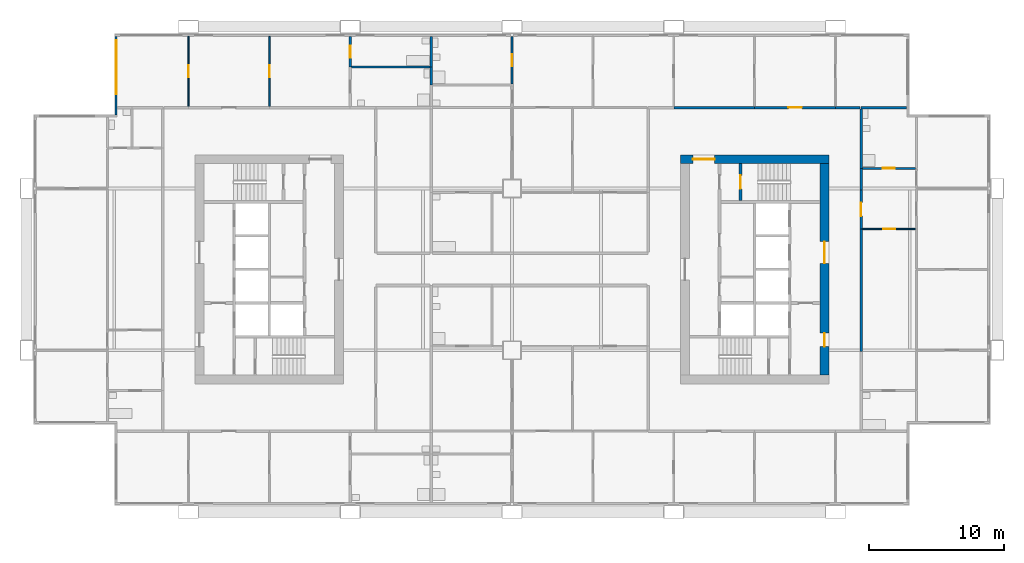
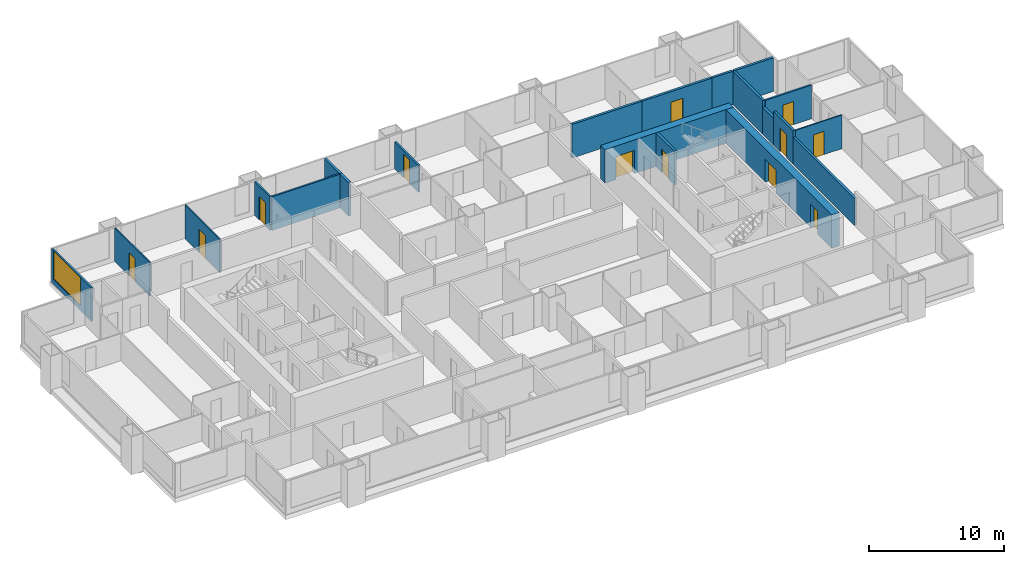
# One storey, part 7 of 11: 21 walls, 12 doors, 1 window, 13 openings.
"""IFC4 building model written with IfcOpenShell, lengths in metres."""

from ifc_helpers import new_model, si_unit, direction, frame, frame_2d, origin, place, context, subcontext, project, spatial, rectangle, extrude, material, layer, layer_set, type_object, element, fill, save


model = new_model("IFC4")

# Units and contexts
model_context = context("Model", 3, precision=1e-05, world=origin(), true_north=direction((0.0, 1.0)))
body_context = subcontext(model_context, "Body", "Model", "MODEL_VIEW")
ifc_project = project(units=[si_unit("LENGTHUNIT", "METRE"), si_unit("AREAUNIT", "SQUARE_METRE"), si_unit("VOLUMEUNIT", "CUBIC_METRE"), si_unit("PLANEANGLEUNIT", "RADIAN"), si_unit("MASSUNIT", "GRAM", prefix="KILO")], contexts=[model_context])

# Site, building, storey
site_placement = place(None, origin())
site = spatial("IfcSite", under=ifc_project, at=site_placement, CompositionType="ELEMENT")
building_placement = place(site_placement, origin())
building = spatial("IfcBuilding", under=site, at=building_placement, Name="Kitamizu Gate Tower and Museum", CompositionType="ELEMENT")
storey_placement = place(building_placement, frame((0.0, 0.0, 106.949951171875)))
storey = spatial("IfcBuildingStorey", under=building, at=storey_placement, Name="L27", CompositionType="ELEMENT", Elevation=106.949951171875)

# Wall, opening, door
ifc_material_1 = material(Name="Concrete Fc60", Category="concrete")
ifc_layer_1 = layer(ifc_material_1, 0.64990234375)
ifc_layer_set_1 = layer_set([ifc_layer_1], Name="Concrete Fc60")
wall_type_1 = type_object("IfcWallType", Name="Core wall 650", PredefinedType="SHEAR", material=ifc_layer_set_1)
wall_1_placement = place(storey_placement, frame((59.5, 38.175048828125, 0.0), z_axis=(0.0, 0.0, 1.0), x_axis=(-1.0, 0.0, 0.0)))
wall_1 = element("IfcWall", 1, at=wall_1_placement, inside=storey, type_object=wall_type_1, Name="Core wall EN", PredefinedType="SHEAR", context=body_context, shape_type="SweptSolid", body=[
    extrude(rectangle(XDim=11.0, YDim=0.64990234375, at=frame_2d((5.5, 0.0))), origin(), (0.0, 0.0, 1.0), 3.050048828125),
])
opening_1_placement = place(wall_1_placement, frame((8.47509765625, 0.0, 0.0)))
opening_1 = element("IfcOpeningElement", 2, at=opening_1_placement, cuts=wall_1, Name="Opening L27-071", PredefinedType="OPENING", context=body_context, shape_type="SweptSolid", body=[
    extrude(rectangle(XDim=1.60009765625, YDim=2.10009765625, at=frame_2d((0.800048828125, 1.050048828125))), frame((0.0, 0.3349609375, 0.0), z_axis=(0.0, -1.0, 0.0), x_axis=(1.0, 0.0, 0.0)), (0.0, 0.0, 1.0), 0.669921875),
])
ifc_material_2 = material(Name="Timber door set", Category="wood")
door_type_1 = type_object("IfcDoorType", Name="Entrance door 1600", OperationType="DOUBLE_DOOR_SINGLE_SWING", PredefinedType="DOOR", material=ifc_material_2)
door_1_placement = place(opening_1_placement, origin())
door_1 = element("IfcDoor", 3, at=door_1_placement, inside=storey, type_object=door_type_1, Name="Lobby door L27-071", OperationType="DOUBLE_DOOR_SINGLE_SWING", OverallHeight=2.10009765625, OverallWidth=1.60009765625, PredefinedType="DOOR", context=body_context, shape_type="SweptSolid", body=[
    extrude(rectangle(XDim=1.60009765625, YDim=2.10009765625, at=frame_2d((0.800048828125, 1.050048828125))), frame((0.0, 0.02490234375, 0.0), z_axis=(0.0, -1.0, 0.0), x_axis=(1.0, 0.0, 0.0)), (0.0, 0.0, 1.0), 0.050048828125),
])
fill(opening_1, door_1)

# Wall, openings, doors
wall_2_placement = place(storey_placement, frame((59.175048828125, 22.14990234375, 0.0), z_axis=(0.0, 0.0, 1.0), x_axis=(0.0, 1.0, 0.0)))
wall_2 = element("IfcWall", 4, at=wall_2_placement, inside=storey, type_object=wall_type_1, Name="Core wall EOUT", PredefinedType="SHEAR", context=body_context, shape_type="SweptSolid", body=[
    extrude(rectangle(XDim=15.7001953125, YDim=0.64990234375, at=frame_2d((7.85009765625, 0.0))), origin(), (0.0, 0.0, 1.0), 3.050048828125),
])
opening_2_placement = place(wall_2_placement, frame((8.300048828125, 0.0, 0.0)))
opening_2 = element("IfcOpeningElement", 5, at=opening_2_placement, cuts=wall_2, Name="Opening L27-069", PredefinedType="OPENING", context=body_context, shape_type="SweptSolid", body=[
    extrude(rectangle(XDim=1.60009765625, YDim=2.10009765625, at=frame_2d((0.800048828125, 1.050048828125))), frame((0.0, 0.3349609375, 0.0), z_axis=(0.0, -1.0, 0.0), x_axis=(1.0, 0.0, 0.0)), (0.0, 0.0, 1.0), 0.669921875),
])
opening_3_placement = place(wall_2_placement, frame((2.125, 0.0, 0.0)))
opening_3 = element("IfcOpeningElement", 6, at=opening_3_placement, cuts=wall_2, Name="Opening L27-070", PredefinedType="OPENING", context=body_context, shape_type="SweptSolid", body=[
    extrude(rectangle(XDim=1.0, YDim=2.10009765625, at=frame_2d((0.5, 1.050048828125))), frame((0.0, 0.3349609375, 0.0), z_axis=(0.0, -1.0, 0.0), x_axis=(1.0, 0.0, 0.0)), (0.0, 0.0, 1.0), 0.669921875),
])
door_2_placement = place(opening_2_placement, origin())
door_2 = element("IfcDoor", 7, at=door_2_placement, inside=storey, type_object=door_type_1, Name="Lobby door L27-069", OperationType="DOUBLE_DOOR_SINGLE_SWING", OverallHeight=2.10009765625, OverallWidth=1.60009765625, PredefinedType="DOOR", context=body_context, shape_type="SweptSolid", body=[
    extrude(rectangle(XDim=1.60009765625, YDim=2.10009765625, at=frame_2d((0.800048828125, 1.050048828125))), frame((0.0, 0.02490234375, 0.0), z_axis=(0.0, -1.0, 0.0), x_axis=(1.0, 0.0, 0.0)), (0.0, 0.0, 1.0), 0.050048828125),
])
fill(opening_2, door_2)
ifc_material_3 = material(Name="Hollow metal door set")
door_type_2 = type_object("IfcDoorType", Name="Fire door 1000", OperationType="NOTDEFINED", PredefinedType="DOOR", material=ifc_material_3)
door_3_placement = place(opening_3_placement, origin())
door_3 = element("IfcDoor", 8, at=door_3_placement, inside=storey, type_object=door_type_2, Name="Fire-fighting lobby door L27-070", OperationType="SINGLE_SWING_LEFT", OverallHeight=2.10009765625, OverallWidth=1.0, PredefinedType="DOOR", context=body_context, shape_type="SweptSolid", body=[
    extrude(rectangle(XDim=1.0, YDim=2.10009765625, at=frame_2d((0.5, 1.050048828125))), frame((0.0, 0.02490234375, 0.0), z_axis=(0.0, -1.0, 0.0), x_axis=(1.0, 0.0, 0.0)), (0.0, 0.0, 1.0), 0.050048828125),
])
fill(opening_3, door_3)

# Wall, opening, door
ifc_material_4 = material(Name="Gypsum board on galvanised stud")
ifc_layer_2 = layer(ifc_material_4, 0.10009765625)
ifc_layer_set_2 = layer_set([ifc_layer_2], Name="Gypsum board on galvanised stud")
wall_type_2 = type_object("IfcWallType", Name="Partition 100 NOT RATED", PredefinedType="PARTITIONING", material=ifc_layer_set_2)
wall_3_placement = place(storey_placement, frame((65.949951171875, 33.0, 0.0), z_axis=(0.0, 0.0, 1.0), x_axis=(-1.0, 0.0, 0.0)))
wall_3 = element("IfcWall", 9, at=wall_3_placement, inside=storey, type_object=wall_type_2, Name="Partition L27-080", PredefinedType="PARTITIONING", context=body_context, shape_type="SweptSolid", body=[
    extrude(rectangle(XDim=3.949951171875, YDim=0.10009765625, at=frame_2d((1.97509765625, 0.0))), origin(), (0.0, 0.0, 1.0), 3.050048828125),
])
opening_4_placement = place(wall_3_placement, frame((1.52490234375, 0.0, 0.0)))
opening_4 = element("IfcOpeningElement", 10, at=opening_4_placement, cuts=wall_3, Name="Opening L27-029", PredefinedType="OPENING", context=body_context, shape_type="SweptSolid", body=[
    extrude(rectangle(XDim=0.89990234375, YDim=2.10009765625, at=frame_2d((0.449951171875, 1.050048828125))), frame((0.0, 0.06005859375, 0.0), z_axis=(0.0, -1.0, 0.0), x_axis=(1.0, 0.0, 0.0)), (0.0, 0.0, 1.0), 0.1201171875),
])
ifc_material_5 = material(Name="Timber door set", Category="wood")
door_type_3 = type_object("IfcDoorType", Name="Room door 900", OperationType="NOTDEFINED", PredefinedType="DOOR", material=ifc_material_5)
door_4_placement = place(opening_4_placement, frame((0.89990234375, 0.0, 0.0), x_axis=(-1.0, 0.0, 0.0)))
door_4 = element("IfcDoor", 11, at=door_4_placement, inside=storey, type_object=door_type_3, Name="Door L27-029", OperationType="SINGLE_SWING_LEFT", OverallHeight=2.10009765625, OverallWidth=0.89990234375, PredefinedType="DOOR", context=body_context, shape_type="SweptSolid", body=[
    extrude(rectangle(XDim=0.89990234375, YDim=2.10009765625, at=frame_2d((0.449951171875, 1.050048828125))), frame((0.0, 0.02490234375, 0.0), z_axis=(0.0, -1.0, 0.0), x_axis=(1.0, 0.0, 0.0)), (0.0, 0.0, 1.0), 0.050048828125),
])
fill(opening_4, door_4)

wall_4_placement = place(storey_placement, frame((12.0, 42.10009765625, 0.0), z_axis=(0.0, 0.0, 1.0), x_axis=(0.0, 1.0, 0.0)))
wall_4 = element("IfcWall", 12, at=wall_4_placement, inside=storey, type_object=wall_type_2, Name="Partition L27-088", PredefinedType="PARTITIONING", context=body_context, shape_type="SweptSolid", body=[
    extrude(rectangle(XDim=5.179931640625, YDim=0.10009765625, at=frame_2d((2.58984375, 0.0))), origin(), (0.0, 0.0, 1.0), 3.050048828125),
])
opening_5_placement = place(wall_4_placement, frame((2.139892578125, 0.0, 0.0)))
opening_5 = element("IfcOpeningElement", 13, at=opening_5_placement, cuts=wall_4, Name="Opening L27-035", PredefinedType="OPENING", context=body_context, shape_type="SweptSolid", body=[
    extrude(rectangle(XDim=0.89990234375, YDim=2.10009765625, at=frame_2d((0.449951171875, 1.050048828125))), frame((0.0, 0.06005859375, 0.0), z_axis=(0.0, -1.0, 0.0), x_axis=(1.0, 0.0, 0.0)), (0.0, 0.0, 1.0), 0.1201171875),
])
door_5_placement = place(opening_5_placement, origin())
door_5 = element("IfcDoor", 14, at=door_5_placement, inside=storey, type_object=door_type_3, Name="Door L27-035", OperationType="SINGLE_SWING_RIGHT", OverallHeight=2.10009765625, OverallWidth=0.89990234375, PredefinedType="DOOR", context=body_context, shape_type="SweptSolid", body=[
    extrude(rectangle(XDim=0.89990234375, YDim=2.10009765625, at=frame_2d((0.449951171875, 1.050048828125))), frame((0.0, 0.02490234375, 0.0), z_axis=(0.0, -1.0, 0.0), x_axis=(1.0, 0.0, 0.0)), (0.0, 0.0, 1.0), 0.050048828125),
])
fill(opening_5, door_5)

wall_5_placement = place(storey_placement, frame((18.0, 42.10009765625, 0.0), z_axis=(0.0, 0.0, 1.0), x_axis=(0.0, 1.0, 0.0)))
wall_5 = element("IfcWall", 15, at=wall_5_placement, inside=storey, type_object=wall_type_2, Name="Partition L27-090", PredefinedType="PARTITIONING", context=body_context, shape_type="SweptSolid", body=[
    extrude(rectangle(XDim=5.179931640625, YDim=0.10009765625, at=frame_2d((2.58984375, 0.0))), origin(), (0.0, 0.0, 1.0), 3.050048828125),
])
opening_6_placement = place(wall_5_placement, frame((2.139892578125, 0.0, 0.0)))
opening_6 = element("IfcOpeningElement", 16, at=opening_6_placement, cuts=wall_5, Name="Opening L27-036", PredefinedType="OPENING", context=body_context, shape_type="SweptSolid", body=[
    extrude(rectangle(XDim=0.89990234375, YDim=2.10009765625, at=frame_2d((0.449951171875, 1.050048828125))), frame((0.0, 0.06005859375, 0.0), z_axis=(0.0, -1.0, 0.0), x_axis=(1.0, 0.0, 0.0)), (0.0, 0.0, 1.0), 0.1201171875),
])
door_6_placement = place(opening_6_placement, frame((0.89990234375, 0.0, 0.0), x_axis=(-1.0, 0.0, 0.0)))
door_6 = element("IfcDoor", 17, at=door_6_placement, inside=storey, type_object=door_type_3, Name="Door L27-036", OperationType="SINGLE_SWING_RIGHT", OverallHeight=2.10009765625, OverallWidth=0.89990234375, PredefinedType="DOOR", context=body_context, shape_type="SweptSolid", body=[
    extrude(rectangle(XDim=0.89990234375, YDim=2.10009765625, at=frame_2d((0.449951171875, 1.050048828125))), frame((0.0, 0.02490234375, 0.0), z_axis=(0.0, -1.0, 0.0), x_axis=(1.0, 0.0, 0.0)), (0.0, 0.0, 1.0), 0.050048828125),
])
fill(opening_6, door_6)

ifc_material_6 = material(Name="Gypsum board on galvanised stud")
ifc_layer_3 = layer(ifc_material_6, 0.14990234375)
ifc_layer_set_3 = layer_set([ifc_layer_3], Name="Gypsum board on galvanised stud")
wall_type_3 = type_object("IfcWallType", Name="Partition 150", PredefinedType="PARTITIONING", material=ifc_layer_set_3)
wall_6_placement = place(storey_placement, frame((65.925048828125, 37.5, 0.0), z_axis=(0.0, 0.0, 1.0), x_axis=(-1.0, 0.0, 0.0)))
wall_6 = element("IfcWall", 18, at=wall_6_placement, inside=storey, type_object=wall_type_3, Name="Partition L27-083", PredefinedType="PARTITIONING", context=body_context, shape_type="SweptSolid", body=[
    extrude(rectangle(XDim=3.925048828125, YDim=0.14990234375, at=frame_2d((1.96240234375, 0.0))), origin(), (0.0, 0.0, 1.0), 3.050048828125),
])
opening_7_placement = place(wall_6_placement, frame((1.512451171875, 0.0, 0.0)))
opening_7 = element("IfcOpeningElement", 19, at=opening_7_placement, cuts=wall_6, Name="Opening L27-031", PredefinedType="OPENING", context=body_context, shape_type="SweptSolid", body=[
    extrude(rectangle(XDim=0.89990234375, YDim=2.10009765625, at=frame_2d((0.449951171875, 1.050048828125))), frame((0.0, 0.0849609375, 0.0), z_axis=(0.0, -1.0, 0.0), x_axis=(1.0, 0.0, 0.0)), (0.0, 0.0, 1.0), 0.169921875),
])
ifc_material_7 = material(Name="Timber door set", Category="wood")
door_type_4 = type_object("IfcDoorType", Name="Bathroom door 900", OperationType="NOTDEFINED", PredefinedType="DOOR", material=ifc_material_7)
door_7_placement = place(opening_7_placement, frame((0.89990234375, 0.0, 0.0), x_axis=(-1.0, 0.0, 0.0)))
door_7 = element("IfcDoor", 20, at=door_7_placement, inside=storey, type_object=door_type_4, Name="Bathroom door L27-031", OperationType="SINGLE_SWING_LEFT", OverallHeight=2.10009765625, OverallWidth=0.89990234375, PredefinedType="DOOR", context=body_context, shape_type="SweptSolid", body=[
    extrude(rectangle(XDim=0.89990234375, YDim=2.10009765625, at=frame_2d((0.449951171875, 1.050048828125))), frame((0.0, 0.02490234375, 0.0), z_axis=(0.0, -1.0, 0.0), x_axis=(1.0, 0.0, 0.0)), (0.0, 0.0, 1.0), 0.050048828125),
])
fill(opening_7, door_7)

wall_7_placement = place(storey_placement, frame((24.0, 45.0, 0.0), z_axis=(0.0, 0.0, 1.0), x_axis=(0.0, 1.0, 0.0)))
wall_7 = element("IfcWall", 21, at=wall_7_placement, inside=storey, type_object=wall_type_3, Name="Partition L27-093", PredefinedType="PARTITIONING", context=body_context, shape_type="SweptSolid", body=[
    extrude(rectangle(XDim=2.280029296875, YDim=0.14990234375, at=frame_2d((1.14013671875, 0.0))), origin(), (0.0, 0.0, 1.0), 3.050048828125),
])
opening_8_placement = place(wall_7_placement, frame((0.68994140625, 0.0, 0.0)))
opening_8 = element("IfcOpeningElement", 22, at=opening_8_placement, cuts=wall_7, Name="Opening L27-038", PredefinedType="OPENING", context=body_context, shape_type="SweptSolid", body=[
    extrude(rectangle(XDim=0.89990234375, YDim=2.10009765625, at=frame_2d((0.449951171875, 1.050048828125))), frame((0.0, 0.0849609375, 0.0), z_axis=(0.0, -1.0, 0.0), x_axis=(1.0, 0.0, 0.0)), (0.0, 0.0, 1.0), 0.169921875),
])
door_8_placement = place(opening_8_placement, frame((0.89990234375, 0.0, 0.0), x_axis=(-1.0, 0.0, 0.0)))
door_8 = element("IfcDoor", 23, at=door_8_placement, inside=storey, type_object=door_type_4, Name="Bathroom door L27-038", OperationType="SINGLE_SWING_RIGHT", OverallHeight=2.10009765625, OverallWidth=0.89990234375, PredefinedType="DOOR", context=body_context, shape_type="SweptSolid", body=[
    extrude(rectangle(XDim=0.89990234375, YDim=2.10009765625, at=frame_2d((0.449951171875, 1.050048828125))), frame((0.0, 0.02490234375, 0.0), z_axis=(0.0, -1.0, 0.0), x_axis=(1.0, 0.0, 0.0)), (0.0, 0.0, 1.0), 0.050048828125),
])
fill(opening_8, door_8)

# Wall
wall_8_placement = place(storey_placement, frame((29.89990234375, 45.0, 0.0), z_axis=(0.0, 0.0, 1.0), x_axis=(-1.0, 0.0, 0.0)))
element("IfcWall", 24, at=wall_8_placement, inside=storey, type_object=wall_type_3, Name="Partition L27-095", PredefinedType="PARTITIONING", context=body_context, shape_type="SweptSolid", body=[
    extrude(rectangle(XDim=5.824951171875, YDim=0.14990234375, at=frame_2d((2.91259765625, 0.0))), origin(), (0.0, 0.0, 1.0), 3.050048828125),
])

# Wall, opening, door
wall_9_placement = place(storey_placement, frame((36.0, 43.7548828125, 0.0), z_axis=(0.0, 0.0, 1.0), x_axis=(0.0, 1.0, 0.0)))
wall_9 = element("IfcWall", 25, at=wall_9_placement, inside=storey, type_object=wall_type_3, Name="Partition L27-108", PredefinedType="PARTITIONING", context=body_context, shape_type="SweptSolid", body=[
    extrude(rectangle(XDim=3.525146484375, YDim=0.14990234375, at=frame_2d((1.7626953125, 0.0))), origin(), (0.0, 0.0, 1.0), 2.449951171875),
])
opening_9_placement = place(wall_9_placement, frame((1.3125, 0.0, 0.0)))
opening_9 = element("IfcOpeningElement", 26, at=opening_9_placement, cuts=wall_9, Name="Opening L27-047", PredefinedType="OPENING", context=body_context, shape_type="SweptSolid", body=[
    extrude(rectangle(XDim=0.89990234375, YDim=2.10009765625, at=frame_2d((0.449951171875, 1.050048828125))), frame((0.0, 0.0849609375, 0.0), z_axis=(0.0, -1.0, 0.0), x_axis=(1.0, 0.0, 0.0)), (0.0, 0.0, 1.0), 0.169921875),
])
door_9_placement = place(opening_9_placement, origin())
door_9 = element("IfcDoor", 27, at=door_9_placement, inside=storey, type_object=door_type_4, Name="Bathroom door L27-047", OperationType="SINGLE_SWING_RIGHT", OverallHeight=2.10009765625, OverallWidth=0.89990234375, PredefinedType="DOOR", context=body_context, shape_type="SweptSolid", body=[
    extrude(rectangle(XDim=0.89990234375, YDim=2.10009765625, at=frame_2d((0.449951171875, 1.050048828125))), frame((0.0, 0.02490234375, 0.0), z_axis=(0.0, -1.0, 0.0), x_axis=(1.0, 0.0, 0.0)), (0.0, 0.0, 1.0), 0.050048828125),
])
fill(opening_9, door_9)

# Walls
ifc_material_8 = material(Name="Gypsum board on galvanised stud")
ifc_layer_4 = layer(ifc_material_8, 0.199951171875)
ifc_layer_set_4 = layer_set([ifc_layer_4], Name="Gypsum board on galvanised stud")
wall_type_4 = type_object("IfcWallType", Name="Partition 200", PredefinedType="PARTITIONING", material=ifc_layer_set_4)
wall_10_placement = place(storey_placement, frame((61.89990234375, 33.0, 0.0), z_axis=(0.0, 0.0, 1.0), x_axis=(0.0, -1.0, 0.0)))
element("IfcWall", 28, at=wall_10_placement, inside=storey, type_object=wall_type_4, Name="Partition L27-081", PredefinedType="PARTITIONING", context=body_context, shape_type="SweptSolid", body=[
    extrude(rectangle(XDim=9.10009765625, YDim=0.199951171875, at=frame_2d((4.550048828125, 0.0))), origin(), (0.0, 0.0, 1.0), 2.449951171875),
])
wall_11_placement = place(storey_placement, frame((61.89990234375, 37.5, 0.0), z_axis=(0.0, 0.0, 1.0), x_axis=(0.0, -1.0, 0.0)))
element("IfcWall", 29, at=wall_11_placement, inside=storey, type_object=wall_type_4, Name="Partition L27-084", PredefinedType="PARTITIONING", context=body_context, shape_type="SweptSolid", body=[
    extrude(rectangle(XDim=1.60009765625, YDim=0.199951171875, at=frame_2d((0.800048828125, 0.0))), origin(), (0.0, 0.0, 1.0), 2.449951171875),
])

# Wall, opening, door
wall_12_placement = place(storey_placement, frame((61.89990234375, 35.89990234375, 0.0), z_axis=(0.0, 0.0, 1.0), x_axis=(0.0, -1.0, 0.0)))
wall_12 = element("IfcWall", 30, at=wall_12_placement, inside=storey, type_object=wall_type_4, Name="Partition L27-085", PredefinedType="PARTITIONING", context=body_context, shape_type="SweptSolid", body=[
    extrude(rectangle(XDim=2.89990234375, YDim=0.199951171875, at=frame_2d((1.449951171875, 0.0))), origin(), (0.0, 0.0, 1.0), 3.050048828125),
])
opening_10_placement = place(wall_12_placement, frame((0.949951171875, 0.0, 0.0)))
opening_10 = element("IfcOpeningElement", 31, at=opening_10_placement, cuts=wall_12, Name="Opening L27-026", PredefinedType="OPENING", context=body_context, shape_type="SweptSolid", body=[
    extrude(rectangle(XDim=1.0, YDim=2.10009765625, at=frame_2d((0.5, 1.050048828125))), frame((0.0, 0.10986328125, 0.0), z_axis=(0.0, -1.0, 0.0), x_axis=(1.0, 0.0, 0.0)), (0.0, 0.0, 1.0), 0.219970703125),
])
ifc_material_9 = material(Name="Timber door set", Category="wood")
door_type_5 = type_object("IfcDoorType", Name="Flat entrance door 1000", OperationType="NOTDEFINED", PredefinedType="DOOR", material=ifc_material_9)
door_10_placement = place(opening_10_placement, origin())
door_10 = element("IfcDoor", 32, at=door_10_placement, inside=storey, type_object=door_type_5, Name="Flat entrance door L27-026", OperationType="SINGLE_SWING_LEFT", OverallHeight=2.10009765625, OverallWidth=1.0, PredefinedType="DOOR", context=body_context, shape_type="SweptSolid", body=[
    extrude(rectangle(XDim=1.0, YDim=2.10009765625, at=frame_2d((0.5, 1.050048828125))), frame((0.0, 0.02490234375, 0.0), z_axis=(0.0, -1.0, 0.0), x_axis=(1.0, 0.0, 0.0)), (0.0, 0.0, 1.0), 0.050048828125),
])
fill(opening_10, door_10)

# Walls
wall_13_placement = place(storey_placement, frame((65.280029296875, 42.0, 0.0), z_axis=(0.0, 0.0, 1.0), x_axis=(-1.0, 0.0, 0.0)))
element("IfcWall", 33, at=wall_13_placement, inside=storey, type_object=wall_type_4, Name="Partition L27-086", PredefinedType="PARTITIONING", context=body_context, shape_type="SweptSolid", body=[
    extrude(rectangle(XDim=3.380126953125, YDim=0.199951171875, at=frame_2d((1.68994140625, 0.0))), origin(), (0.0, 0.0, 1.0), 3.050048828125),
])
wall_14_placement = place(storey_placement, frame((61.89990234375, 41.89990234375, 0.0), z_axis=(0.0, 0.0, 1.0), x_axis=(0.0, -1.0, 0.0)))
element("IfcWall", 34, at=wall_14_placement, inside=storey, type_object=wall_type_4, Name="Partition L27-087", PredefinedType="PARTITIONING", context=body_context, shape_type="SweptSolid", body=[
    extrude(rectangle(XDim=4.39990234375, YDim=0.199951171875, at=frame_2d((2.199951171875, 0.0))), origin(), (0.0, 0.0, 1.0), 3.050048828125),
])
wall_15_placement = place(storey_placement, frame((30.0, 43.679931640625, 0.0), z_axis=(0.0, 0.0, 1.0), x_axis=(0.0, 1.0, 0.0)))
element("IfcWall", 35, at=wall_15_placement, inside=storey, type_object=wall_type_4, Name="Partition L27-097", PredefinedType="PARTITIONING", context=body_context, shape_type="SweptSolid", body=[
    extrude(rectangle(XDim=1.320068359375, YDim=0.199951171875, at=frame_2d((0.66015625, 0.0))), origin(), (0.0, 0.0, 1.0), 3.050048828125),
])
wall_16_placement = place(storey_placement, frame((30.0, 45.0, 0.0), z_axis=(0.0, 0.0, 1.0), x_axis=(0.0, 1.0, 0.0)))
element("IfcWall", 36, at=wall_16_placement, inside=storey, type_object=wall_type_4, Name="Partition L27-100", PredefinedType="PARTITIONING", context=body_context, shape_type="SweptSolid", body=[
    extrude(rectangle(XDim=2.280029296875, YDim=0.199951171875, at=frame_2d((1.14013671875, 0.0))), origin(), (0.0, 0.0, 1.0), 3.050048828125),
])
wall_17_placement = place(storey_placement, frame((48.0, 42.0, 0.0), z_axis=(0.0, 0.0, 1.0), x_axis=(1.0, 0.0, 0.0)))
element("IfcWall", 37, at=wall_17_placement, inside=storey, type_object=wall_type_4, Name="Partition L27-118", PredefinedType="PARTITIONING", context=body_context, shape_type="SweptSolid", body=[
    extrude(rectangle(XDim=6.0, YDim=0.199951171875, at=frame_2d((3.0, 0.0))), origin(), (0.0, 0.0, 1.0), 3.050048828125),
])

# Wall, opening, door
wall_18_placement = place(storey_placement, frame((54.0, 42.0, 0.0), z_axis=(0.0, 0.0, 1.0), x_axis=(1.0, 0.0, 0.0)))
wall_18 = element("IfcWall", 38, at=wall_18_placement, inside=storey, type_object=wall_type_4, Name="Partition L27-120", PredefinedType="PARTITIONING", context=body_context, shape_type="SweptSolid", body=[
    extrude(rectangle(XDim=6.0, YDim=0.199951171875, at=frame_2d((3.0, 0.0))), origin(), (0.0, 0.0, 1.0), 3.050048828125),
])
opening_11_placement = place(wall_18_placement, frame((2.5, 0.0, 0.0)))
opening_11 = element("IfcOpeningElement", 39, at=opening_11_placement, cuts=wall_18, Name="Opening L27-039", PredefinedType="OPENING", context=body_context, shape_type="SweptSolid", body=[
    extrude(rectangle(XDim=1.0, YDim=2.10009765625, at=frame_2d((0.5, 1.050048828125))), frame((0.0, 0.10986328125, 0.0), z_axis=(0.0, -1.0, 0.0), x_axis=(1.0, 0.0, 0.0)), (0.0, 0.0, 1.0), 0.219970703125),
])
door_11_placement = place(opening_11_placement, origin())
door_11 = element("IfcDoor", 40, at=door_11_placement, inside=storey, type_object=door_type_5, Name="Flat entrance door L27-039", OperationType="SINGLE_SWING_RIGHT", OverallHeight=2.10009765625, OverallWidth=1.0, PredefinedType="DOOR", context=body_context, shape_type="SweptSolid", body=[
    extrude(rectangle(XDim=1.0, YDim=2.10009765625, at=frame_2d((0.5, 1.050048828125))), frame((0.0, 0.02490234375, 0.0), z_axis=(0.0, -1.0, 0.0), x_axis=(1.0, 0.0, 0.0)), (0.0, 0.0, 1.0), 0.050048828125),
])
fill(opening_11, door_11)

# Wall
wall_19_placement = place(storey_placement, frame((60.0, 42.0, 0.0), z_axis=(0.0, 0.0, 1.0), x_axis=(1.0, 0.0, 0.0)))
element("IfcWall", 41, at=wall_19_placement, inside=storey, type_object=wall_type_4, Name="Partition L27-121", PredefinedType="PARTITIONING", context=body_context, shape_type="SweptSolid", body=[
    extrude(rectangle(XDim=1.800048828125, YDim=0.199951171875, at=frame_2d((0.89990234375, 0.0))), origin(), (0.0, 0.0, 1.0), 3.050048828125),
])

# Wall, opening, door
ifc_material_10 = material(Name="Concrete Fc42", Category="concrete")
ifc_layer_5 = layer(ifc_material_10, 0.199951171875)
ifc_layer_set_5 = layer_set([ifc_layer_5], Name="Concrete Fc42")
wall_type_5 = type_object("IfcWallType", Name="Shaft wall 200", PredefinedType="SOLIDWALL", material=ifc_layer_set_5)
wall_20_placement = place(storey_placement, frame((52.949951171875, 35.10009765625, 0.0), z_axis=(0.0, 0.0, 1.0), x_axis=(0.0, 1.0, 0.0)))
wall_20 = element("IfcWall", 42, at=wall_20_placement, inside=storey, type_object=wall_type_5, Name="Shaft wall ENZ", PredefinedType="SOLIDWALL", context=body_context, shape_type="SweptSolid", body=[
    extrude(rectangle(XDim=2.75, YDim=0.199951171875, at=frame_2d((1.375, 0.0))), origin(), (0.0, 0.0, 1.0), 3.050048828125),
])
opening_12_placement = place(wall_20_placement, frame((0.875, 0.0, 0.0)))
opening_12 = element("IfcOpeningElement", 43, at=opening_12_placement, cuts=wall_20, Name="Opening L27-067", PredefinedType="OPENING", context=body_context, shape_type="SweptSolid", body=[
    extrude(rectangle(XDim=1.0, YDim=2.10009765625, at=frame_2d((0.5, 1.050048828125))), frame((0.0, 0.10986328125, 0.0), z_axis=(0.0, -1.0, 0.0), x_axis=(1.0, 0.0, 0.0)), (0.0, 0.0, 1.0), 0.219970703125),
])
door_12_placement = place(opening_12_placement, frame((1.0, 0.0, 0.0), x_axis=(-1.0, 0.0, 0.0)))
door_12 = element("IfcDoor", 44, at=door_12_placement, inside=storey, type_object=door_type_2, Name="Stair door L27-067", OperationType="SINGLE_SWING_RIGHT", OverallHeight=2.10009765625, OverallWidth=1.0, PredefinedType="DOOR", context=body_context, shape_type="SweptSolid", body=[
    extrude(rectangle(XDim=1.0, YDim=2.10009765625, at=frame_2d((0.5, 1.050048828125))), frame((0.0, 0.02490234375, 0.0), z_axis=(0.0, -1.0, 0.0), x_axis=(1.0, 0.0, 0.0)), (0.0, 0.0, 1.0), 0.050048828125),
])
fill(opening_12, door_12)

# Wall, opening, window
ifc_material_11 = material(Name="Bronze anodised aluminium frame with insulated spandrel and tinted glass", Category="aluminium")
ifc_layer_6 = layer(ifc_material_11, 0.14990234375)
ifc_layer_set_6 = layer_set([ifc_layer_6], Name="Bronze anodised aluminium frame with insulated spandrel and tinted glass")
wall_type_6 = type_object("IfcWallType", Name="WINDOW WALL 150 BRONZE FRAME EI 30", PredefinedType="ELEMENTEDWALL", material=ifc_layer_set_6)
wall_21_placement = place(storey_placement, frame((6.635009765625, 41.43994140625, 0.0), z_axis=(0.0, 0.0, 1.0), x_axis=(0.0, 1.0, 0.0)))
wall_21 = element("IfcWall", 45, at=wall_21_placement, inside=storey, type_object=wall_type_6, Name="Window wall west L27", PredefinedType="ELEMENTEDWALL", context=body_context, shape_type="SweptSolid", body=[
    extrude(rectangle(XDim=5.85009765625, YDim=0.14990234375, at=frame_2d((2.925048828125, 0.0))), origin(), (0.0, 0.0, 1.0), 3.050048828125),
])
opening_13_placement = place(wall_21_placement, frame((1.56005859375, 0.0, 0.449951171875)))
opening_13 = element("IfcOpeningElement", 46, at=opening_13_placement, cuts=wall_21, Name="Opening W16", PredefinedType="OPENING", context=body_context, shape_type="SweptSolid", body=[
    extrude(rectangle(XDim=4.0, YDim=2.550048828125, at=frame_2d((2.0, 1.27490234375))), frame((0.0, 0.0849609375, 0.0), z_axis=(0.0, -1.0, 0.0), x_axis=(1.0, 0.0, 0.0)), (0.0, 0.0, 1.0), 0.169921875),
])
ifc_material_12 = material(Name="Bronze anodised aluminium frame, tinted triple glazing", Category="aluminium")
window_type = type_object("IfcWindowType", Name="WINDOW 4000 x 2550 SILL 450", PartitioningType="SINGLE_PANEL", PredefinedType="WINDOW", material=ifc_material_12)
window_placement = place(opening_13_placement, origin())
window = element("IfcWindow", 47, at=window_placement, inside=storey, type_object=window_type, Name="Window W16 L27", OverallHeight=2.550048828125, OverallWidth=4.0, PartitioningType="SINGLE_PANEL", PredefinedType="WINDOW", context=body_context, shape_type="SweptSolid", body=[
    extrude(rectangle(XDim=4.0, YDim=2.550048828125, at=frame_2d((2.0, 1.27490234375))), frame((0.0, 0.030029296875, 0.0), z_axis=(0.0, -1.0, 0.0), x_axis=(1.0, 0.0, 0.0)), (0.0, 0.0, 1.0), 0.06005859375),
])
fill(opening_13, window)

save(model, "model.ifc")
